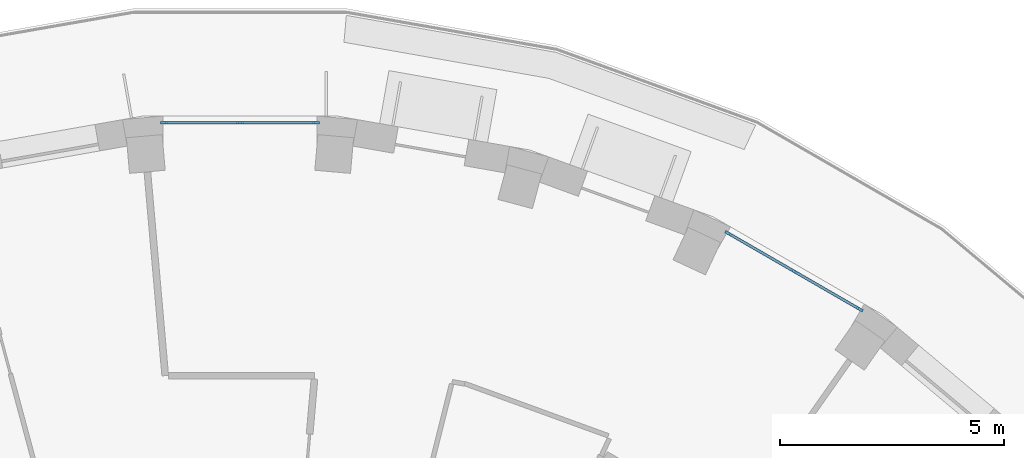
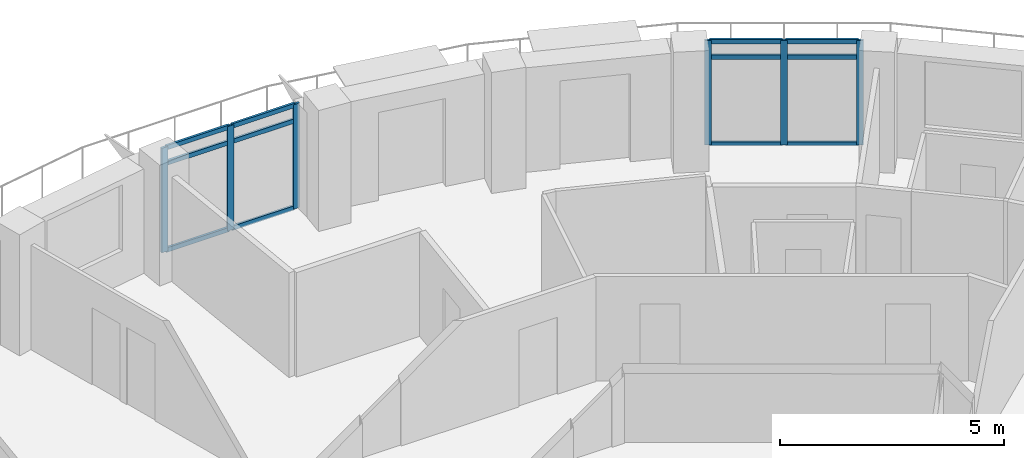
# One storey, part 2 of 13: 18 members, 2 elements without a shape of their own.
"""IFC4 building model written with IfcOpenShell, lengths in metres."""

from ifc_helpers import new_model, si_unit, direction, frame, origin, origin_2d, place, context, subcontext, project, spatial, rectangle, extrude, material, layer, layer_set, material_profile, profile_set, type_object, element, aggregate, save


model = new_model("IFC4")

# Units and contexts
model_context = context("Model", 3, precision=1e-05, world=origin(), true_north=direction((0.0, 1.0)))
body_context = subcontext(model_context, "Body", "Model", "MODEL_VIEW")
ifc_project = project(units=[si_unit("LENGTHUNIT", "METRE"), si_unit("AREAUNIT", "SQUARE_METRE"), si_unit("VOLUMEUNIT", "CUBIC_METRE"), si_unit("PLANEANGLEUNIT", "RADIAN"), si_unit("MASSUNIT", "GRAM", prefix="KILO")], contexts=[model_context])

# Site, building, storey
site_placement = place(None, origin())
site = spatial("IfcSite", under=ifc_project, at=site_placement, CompositionType="ELEMENT")
building_placement = place(site_placement, origin())
building = spatial("IfcBuilding", under=site, at=building_placement, Name="Saqina Gate Tower", CompositionType="ELEMENT")
storey_placement = place(building_placement, frame((0.0, 0.0, 207.0)))
storey = spatial("IfcBuildingStorey", under=building, at=storey_placement, Name="L59", CompositionType="ELEMENT", Elevation=207.0)

# Curtain wall, members
ifc_material_1 = material(Name="Aluminium glazing", Category="aluminium")
ifc_layer = layer(ifc_material_1, 0.159912109375)
ifc_layer_set = layer_set([ifc_layer], Name="CWT-4")
curtain_wall_type = type_object("IfcCurtainWallType", Name="CWT-4", PredefinedType="NOTDEFINED", material=ifc_layer_set)
curtain_wall_1_placement = place(storey_placement, origin())
curtain_wall_1 = element("IfcCurtainWall", 1, at=curtain_wall_1_placement, inside=storey, type_object=curtain_wall_type, Name="Terrace lounge glazing facet 6", PredefinedType="NOTDEFINED")
ifc_material_2 = material(Name="Aluminium", Category="aluminium")
ifc_material_profile_1 = material_profile(ifc_material_2, rectangle(XDim=0.06005859375, YDim=0.159912109375, at=origin_2d()), Name="Aluminium 60x160")
ifc_profile_set_1 = profile_set([ifc_material_profile_1], Name="Aluminium")
member_type_1 = type_object("IfcMemberType", Name="CWT-4M", PredefinedType="MULLION", material=ifc_profile_set_1)
member_1_placement = place(storey_placement, frame((13.84521484375, 20.5908203125, 0.0), z_axis=(0.0, 0.0, 1.0), x_axis=(-0.500014364391, -0.866017110341, 0.0)))
member_1 = element("IfcMember", 2, at=member_1_placement, type_object=member_type_1, Name="CW4-06 mullion 1", PredefinedType="MULLION", context=body_context, shape_type="SweptSolid", body=[
    extrude(rectangle(XDim=0.06005859375, YDim=0.159912109375, at=origin_2d()), origin(), (0.0, 0.0, 1.0), 2.85009765625),
])
member_2_placement = place(storey_placement, frame((12.37744140625, 21.438232421875, 0.0), z_axis=(0.0, 0.0, 1.0), x_axis=(-0.500014364391, -0.866017110341, 0.0)))
member_2 = element("IfcMember", 3, at=member_2_placement, type_object=member_type_1, Name="CW4-06 mullion 2", PredefinedType="MULLION", context=body_context, shape_type="SweptSolid", body=[
    extrude(rectangle(XDim=0.06005859375, YDim=0.159912109375, at=origin_2d()), origin(), (0.0, 0.0, 1.0), 2.85009765625),
])
member_3_placement = place(storey_placement, frame((10.90966796875, 22.285888671875, 0.0), z_axis=(0.0, 0.0, 1.0), x_axis=(-0.500014364391, -0.866017110341, 0.0)))
member_3 = element("IfcMember", 4, at=member_3_placement, type_object=member_type_1, Name="CW4-06 mullion 3", PredefinedType="MULLION", context=body_context, shape_type="SweptSolid", body=[
    extrude(rectangle(XDim=0.06005859375, YDim=0.159912109375, at=origin_2d()), origin(), (0.0, 0.0, 1.0), 2.85009765625),
])

curtain_wall_2_placement = place(storey_placement, origin())
curtain_wall_2 = element("IfcCurtainWall", 5, at=curtain_wall_2_placement, inside=storey, type_object=curtain_wall_type, Name="Terrace lounge glazing facet 9", PredefinedType="NOTDEFINED")
member_4_placement = place(storey_placement, frame((1.69482421875, 24.7548828125, 0.0), z_axis=(0.0, 0.0, 1.0), x_axis=(0.0, -1.0, 0.0)))
member_4 = element("IfcMember", 6, at=member_4_placement, type_object=member_type_1, Name="CW4-09 mullion 1", PredefinedType="MULLION", context=body_context, shape_type="SweptSolid", body=[
    extrude(rectangle(XDim=0.06005859375, YDim=0.159912109375, at=origin_2d()), origin(), (0.0, 0.0, 1.0), 2.85009765625),
])
member_5_placement = place(storey_placement, frame((0.0, 24.7548828125, 0.0), z_axis=(0.0, 0.0, 1.0), x_axis=(0.0, -1.0, 0.0)))
member_5 = element("IfcMember", 7, at=member_5_placement, type_object=member_type_1, Name="CW4-09 mullion 2", PredefinedType="MULLION", context=body_context, shape_type="SweptSolid", body=[
    extrude(rectangle(XDim=0.06005859375, YDim=0.159912109375, at=origin_2d()), origin(), (0.0, 0.0, 1.0), 2.85009765625),
])
member_6_placement = place(storey_placement, frame((-1.69482421875, 24.7548828125, 0.0), z_axis=(0.0, 0.0, 1.0), x_axis=(0.0, -1.0, 0.0)))
member_6 = element("IfcMember", 8, at=member_6_placement, type_object=member_type_1, Name="CW4-09 mullion 3", PredefinedType="MULLION", context=body_context, shape_type="SweptSolid", body=[
    extrude(rectangle(XDim=0.06005859375, YDim=0.159912109375, at=origin_2d()), origin(), (0.0, 0.0, 1.0), 2.85009765625),
])

# Member
ifc_material_3 = material(Name="Aluminium", Category="aluminium")
ifc_material_profile_2 = material_profile(ifc_material_3, rectangle(XDim=0.06005859375, YDim=0.1201171875, at=origin_2d()), Name="Aluminium 60x120")
ifc_profile_set_2 = profile_set([ifc_material_profile_2], Name="Aluminium")
member_type_2 = type_object("IfcMemberType", Name="CWT-4T", PredefinedType="USERDEFINED", material=ifc_profile_set_2)
member_7_placement = place(storey_placement, frame((13.8193359375, 20.60595703125, 0.030029296875), z_axis=(-0.866066236526, 0.499929268946, 0.0), x_axis=(-0.499929268946, -0.866066236526, 0.0)))
member_7 = element("IfcMember", 9, at=member_7_placement, type_object=member_type_2, Name="CW4-06 transom 1.1", ObjectType="TRANSOM", PredefinedType="USERDEFINED", context=body_context, shape_type="SweptSolid", body=[
    extrude(rectangle(XDim=0.06005859375, YDim=0.1201171875, at=origin_2d()), origin(), (0.0, 0.0, 1.0), 1.635009765625),
])

member_8_placement = place(storey_placement, frame((13.8193359375, 20.60595703125, 2.39990234375), z_axis=(-0.866066236526, 0.499929268946, 0.0), x_axis=(-0.499929268946, -0.866066236526, 0.0)))
member_8 = element("IfcMember", 10, at=member_8_placement, type_object=member_type_2, Name="CW4-06 transom 1.2", ObjectType="TRANSOM", PredefinedType="USERDEFINED", context=body_context, shape_type="SweptSolid", body=[
    extrude(rectangle(XDim=0.06005859375, YDim=0.1201171875, at=origin_2d()), origin(), (0.0, 0.0, 1.0), 1.635009765625),
])

member_9_placement = place(storey_placement, frame((13.8193359375, 20.60595703125, 2.820068359375), z_axis=(-0.866066236526, 0.499929268946, 0.0), x_axis=(-0.499929268946, -0.866066236526, 0.0)))
member_9 = element("IfcMember", 11, at=member_9_placement, type_object=member_type_2, Name="CW4-06 transom 1.3", ObjectType="TRANSOM", PredefinedType="USERDEFINED", context=body_context, shape_type="SweptSolid", body=[
    extrude(rectangle(XDim=0.06005859375, YDim=0.1201171875, at=origin_2d()), origin(), (0.0, 0.0, 1.0), 1.635009765625),
])

member_10_placement = place(storey_placement, frame((12.3515625, 21.453369140625, 0.030029296875), z_axis=(-0.866066236526, 0.499929268946, 0.0), x_axis=(-0.499929268946, -0.866066236526, 0.0)))
member_10 = element("IfcMember", 12, at=member_10_placement, type_object=member_type_2, Name="CW4-06 transom 2.1", ObjectType="TRANSOM", PredefinedType="USERDEFINED", context=body_context, shape_type="SweptSolid", body=[
    extrude(rectangle(XDim=0.06005859375, YDim=0.1201171875, at=origin_2d()), origin(), (0.0, 0.0, 1.0), 1.635009765625),
])

member_11_placement = place(storey_placement, frame((12.3515625, 21.453369140625, 2.39990234375), z_axis=(-0.866066236526, 0.499929268946, 0.0), x_axis=(-0.499929268946, -0.866066236526, 0.0)))
member_11 = element("IfcMember", 13, at=member_11_placement, type_object=member_type_2, Name="CW4-06 transom 2.2", ObjectType="TRANSOM", PredefinedType="USERDEFINED", context=body_context, shape_type="SweptSolid", body=[
    extrude(rectangle(XDim=0.06005859375, YDim=0.1201171875, at=origin_2d()), origin(), (0.0, 0.0, 1.0), 1.635009765625),
])

member_12_placement = place(storey_placement, frame((12.3515625, 21.453369140625, 2.820068359375), z_axis=(-0.866066236526, 0.499929268946, 0.0), x_axis=(-0.499929268946, -0.866066236526, 0.0)))
member_12 = element("IfcMember", 14, at=member_12_placement, type_object=member_type_2, Name="CW4-06 transom 2.3", ObjectType="TRANSOM", PredefinedType="USERDEFINED", context=body_context, shape_type="SweptSolid", body=[
    extrude(rectangle(XDim=0.06005859375, YDim=0.1201171875, at=origin_2d()), origin(), (0.0, 0.0, 1.0), 1.635009765625),
])

aggregate(curtain_wall_1, [member_1, member_2, member_3, member_7, member_8, member_9, member_10, member_11, member_12])

member_13_placement = place(storey_placement, frame((1.664794921875, 24.7548828125, 0.030029296875), z_axis=(-1.0, 0.0, 0.0), x_axis=(0.0, -1.0, 0.0)))
member_13 = element("IfcMember", 15, at=member_13_placement, type_object=member_type_2, Name="CW4-09 transom 1.1", ObjectType="TRANSOM", PredefinedType="USERDEFINED", context=body_context, shape_type="SweptSolid", body=[
    extrude(rectangle(XDim=0.06005859375, YDim=0.1201171875, at=origin_2d()), origin(), (0.0, 0.0, 1.0), 1.634765625),
])

member_14_placement = place(storey_placement, frame((1.664794921875, 24.7548828125, 2.39990234375), z_axis=(-1.0, 0.0, 0.0), x_axis=(0.0, -1.0, 0.0)))
member_14 = element("IfcMember", 16, at=member_14_placement, type_object=member_type_2, Name="CW4-09 transom 1.2", ObjectType="TRANSOM", PredefinedType="USERDEFINED", context=body_context, shape_type="SweptSolid", body=[
    extrude(rectangle(XDim=0.06005859375, YDim=0.1201171875, at=origin_2d()), origin(), (0.0, 0.0, 1.0), 1.634765625),
])

member_15_placement = place(storey_placement, frame((1.664794921875, 24.7548828125, 2.820068359375), z_axis=(-1.0, 0.0, 0.0), x_axis=(0.0, -1.0, 0.0)))
member_15 = element("IfcMember", 17, at=member_15_placement, type_object=member_type_2, Name="CW4-09 transom 1.3", ObjectType="TRANSOM", PredefinedType="USERDEFINED", context=body_context, shape_type="SweptSolid", body=[
    extrude(rectangle(XDim=0.06005859375, YDim=0.1201171875, at=origin_2d()), origin(), (0.0, 0.0, 1.0), 1.634765625),
])

member_16_placement = place(storey_placement, frame((-0.030029296875, 24.7548828125, 0.030029296875), z_axis=(-1.0, 0.0, 0.0), x_axis=(0.0, -1.0, 0.0)))
member_16 = element("IfcMember", 18, at=member_16_placement, type_object=member_type_2, Name="CW4-09 transom 2.1", ObjectType="TRANSOM", PredefinedType="USERDEFINED", context=body_context, shape_type="SweptSolid", body=[
    extrude(rectangle(XDim=0.06005859375, YDim=0.1201171875, at=origin_2d()), origin(), (0.0, 0.0, 1.0), 1.634765625),
])

member_17_placement = place(storey_placement, frame((-0.030029296875, 24.7548828125, 2.39990234375), z_axis=(-1.0, 0.0, 0.0), x_axis=(0.0, -1.0, 0.0)))
member_17 = element("IfcMember", 19, at=member_17_placement, type_object=member_type_2, Name="CW4-09 transom 2.2", ObjectType="TRANSOM", PredefinedType="USERDEFINED", context=body_context, shape_type="SweptSolid", body=[
    extrude(rectangle(XDim=0.06005859375, YDim=0.1201171875, at=origin_2d()), origin(), (0.0, 0.0, 1.0), 1.634765625),
])

member_18_placement = place(storey_placement, frame((-0.030029296875, 24.7548828125, 2.820068359375), z_axis=(-1.0, 0.0, 0.0), x_axis=(0.0, -1.0, 0.0)))
member_18 = element("IfcMember", 20, at=member_18_placement, type_object=member_type_2, Name="CW4-09 transom 2.3", ObjectType="TRANSOM", PredefinedType="USERDEFINED", context=body_context, shape_type="SweptSolid", body=[
    extrude(rectangle(XDim=0.06005859375, YDim=0.1201171875, at=origin_2d()), origin(), (0.0, 0.0, 1.0), 1.634765625),
])

aggregate(curtain_wall_2, [member_4, member_5, member_6, member_13, member_14, member_15, member_16, member_17, member_18])

save(model, "model.ifc")
